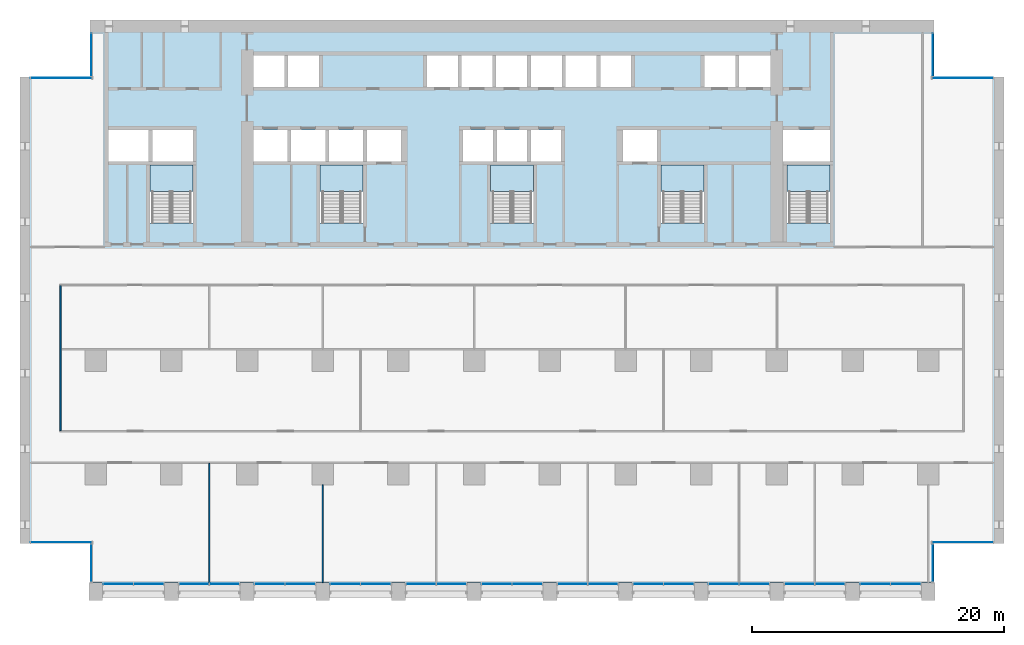
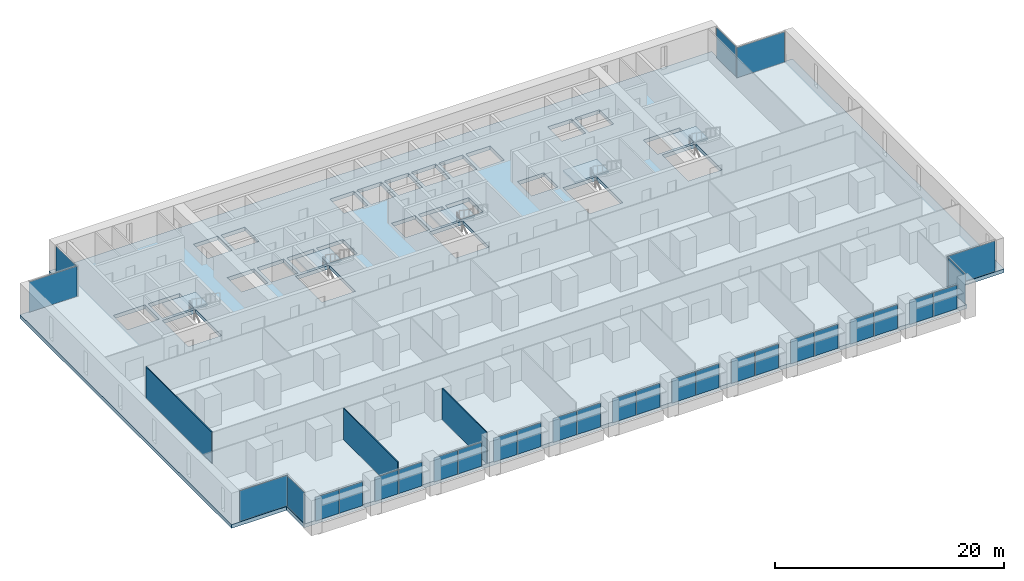
# One storey, part 7 of 18: 30 plates, 6 slabs, 3 walls, 24 elements without a shape of their own.
"""IFC4 building model written with IfcOpenShell, lengths in metres."""

import ifcopenshell
import ifcopenshell.guid

model = None  # the IFC model being written
_history = None  # IfcOwnerHistory: only IFC2X3 demands one
_inside = {}  # id of a spatial element -> (the spatial element, [elements in it])
_under = {}  # id of a project, library or spatial element -> (it, [spatial elements below it])
_declared = {}  # id of a project -> (the project, [libraries it declares])
_typed = {}  # id of a type object -> (the type object, [elements of that type])
_made_of = {}  # id of a material, layer set ... -> (it, [elements and type objects made of it])


def new_model(schema):
    """Start an empty IFC model of exactly this schema.

    Asked for "IFC4X3", IfcOpenShell would pick the latest addendum, in which some entities
    have other attributes; the version numbers below select the first issue.
    IFC2X3 requires an IfcOwnerHistory on every rooted entity: one is made here for all.
    """
    global model, _history
    if schema == "IFC4X3":
        model = ifcopenshell.file(schema_version=(4, 3, 0, 0))
    else:
        model = ifcopenshell.file(schema=schema)
    _inside.clear()
    _under.clear()
    _declared.clear()
    _typed.clear()
    _made_of.clear()
    _history = None
    if model.schema == "IFC2X3":
        org = make("IfcOrganization", Name="unknown")
        user = make(
            "IfcPersonAndOrganization",
            ThePerson=make("IfcPerson", FamilyName="unknown"),
            TheOrganization=org,
        )
        app = make(
            "IfcApplication",
            ApplicationDeveloper=org,
            Version="unknown",
            ApplicationFullName="unknown",
            ApplicationIdentifier="unknown",
        )
        _history = make(
            "IfcOwnerHistory",
            OwningUser=user,
            OwningApplication=app,
            ChangeAction="ADDED",
            CreationDate=0,
        )
    return model


def make(cls, **values):
    """One entity of the class cls with the attributes given. An attribute that is None is left unset."""
    return model.create_entity(
        cls, **{name: value for name, value in values.items() if value is not None}
    )


def rooted(cls, **values):
    """An entity with a GlobalId (a new one), such as an element, a storey or a relation."""
    return make(cls, GlobalId=ifcopenshell.guid.new(), OwnerHistory=_history, **values)


def si_unit(unit_type, name, prefix=None):
    """IfcSIUnit, for example si_unit("LENGTHUNIT", "METRE", prefix="MILLI")."""
    return make("IfcSIUnit", UnitType=unit_type, Prefix=prefix, Name=name)


def assignment(units):
    """IfcUnitAssignment: the units of a project."""
    return None if units is None else make("IfcUnitAssignment", Units=units)


def point(xyz):
    """IfcCartesianPoint."""
    return None if xyz is None else make("IfcCartesianPoint", Coordinates=xyz)


def direction(xyz):
    """IfcDirection."""
    return None if xyz is None else make("IfcDirection", DirectionRatios=xyz)


def frame(location, z_axis=None, x_axis=None):
    """IfcAxis2Placement3D, a coordinate frame: its origin and axes. An axis left out is left unset."""
    return make(
        "IfcAxis2Placement3D",
        Location=point(location),
        Axis=direction(z_axis),
        RefDirection=direction(x_axis),
    )


def frame_2d(location, x_axis=None):
    """IfcAxis2Placement2D, a coordinate frame in the plane: its origin and x axis."""
    return make(
        "IfcAxis2Placement2D", Location=point(location), RefDirection=direction(x_axis)
    )


def origin():
    """The frame at (0, 0, 0) with its axes left unset."""
    return frame((0.0, 0.0, 0.0))


def origin_2d():
    """The frame at (0, 0) in the plane with its x axis left unset."""
    return frame_2d((0.0, 0.0))


def place(relative_to, where):
    """IfcLocalPlacement: puts the frame where relative to a parent placement (None: the world)."""
    return make(
        "IfcLocalPlacement", PlacementRelTo=relative_to, RelativePlacement=where
    )


def context(
    kind, dimensions, precision=None, world=None, true_north=None, identifier=None
):
    """IfcGeometricRepresentationContext, for example the 3D "Model" context."""
    return make(
        "IfcGeometricRepresentationContext",
        ContextIdentifier=identifier,
        ContextType=kind,
        CoordinateSpaceDimension=dimensions,
        Precision=precision,
        WorldCoordinateSystem=world,
        TrueNorth=true_north,
    )


def subcontext(parent, identifier, kind, view, scale=None):
    """IfcGeometricRepresentationSubContext, for example "Body" below "Model"."""
    return make(
        "IfcGeometricRepresentationSubContext",
        ContextIdentifier=identifier,
        ContextType=kind,
        ParentContext=parent,
        TargetScale=scale,
        TargetView=view,
    )


def project(units=None, contexts=None):
    """IfcProject with its units and contexts."""
    return rooted(
        "IfcProject",
        Name="project",
        RepresentationContexts=contexts,
        UnitsInContext=assignment(units),
    )


def spatial(cls, under=None, at=None, **own):
    """A site, building, storey or space (cls), placed at a placement, below another one or the project."""
    s = rooted(cls, ObjectPlacement=at, **own)
    if under is not None:
        _under.setdefault(under.id(), (under, []))[1].append(s)
    return s


def polyline(points):
    """IfcPolyline through the points."""
    return make("IfcPolyline", Points=[point(p) for p in points])


def profile(cls, at=None, kind="AREA", **sizes):
    """A parametric profile (cls). Its sizes go by their IFC names, for example OverallWidth=200.0."""
    return make(cls, ProfileType=kind, Position=at, **sizes)


def rectangle(**sizes):
    """IfcRectangleProfileDef."""
    return profile("IfcRectangleProfileDef", **sizes)


def outline(outer, holes=None, kind="AREA"):
    """IfcArbitraryClosedProfileDef: a profile drawn as a closed curve; with holes, ...WithVoids."""
    if holes is None:
        return make("IfcArbitraryClosedProfileDef", ProfileType=kind, OuterCurve=outer)
    return make(
        "IfcArbitraryProfileDefWithVoids",
        ProfileType=kind,
        OuterCurve=outer,
        InnerCurves=holes,
    )


def extrude(swept, where, along, depth):
    """IfcExtrudedAreaSolid: the profile swept, set in the frame where, extruded along a direction by depth."""
    return make(
        "IfcExtrudedAreaSolid",
        SweptArea=swept,
        Position=where,
        ExtrudedDirection=direction(along),
        Depth=depth,
    )


def shape(context_of_items, identifier, shape_type, items):
    """IfcShapeRepresentation: the items that make up one representation, for example the "Body"."""
    return make(
        "IfcShapeRepresentation",
        ContextOfItems=context_of_items,
        RepresentationIdentifier=identifier,
        RepresentationType=shape_type,
        Items=items,
    )


def material(Name=None, Category=None):
    """IfcMaterial."""
    return make("IfcMaterial", Name=Name, Category=Category)


def layer(
    of_material, thickness, ventilated=None, Name=None, Category=None, Priority=None
):
    """IfcMaterialLayer: one layer of a wall or slab, of a material (None: an air gap)."""
    return make(
        "IfcMaterialLayer",
        Material=of_material,
        LayerThickness=thickness,
        IsVentilated=ventilated,
        Name=Name,
        Category=Category,
        Priority=Priority,
    )


def layer_set(layers, Name=None):
    """IfcMaterialLayerSet."""
    return make("IfcMaterialLayerSet", MaterialLayers=layers, LayerSetName=Name)


def made_of(thing, what):
    """Note that an element or type object is made of a material, layer set ...; save() writes the relation."""
    if what is not None:
        _made_of.setdefault(what.id(), (what, []))[1].append(thing)
    return thing


def type_object(cls, material=None, **own):
    """A type object (cls), such as IfcWallType, which elements share."""
    return made_of(rooted(cls, **own), material)


def element(
    cls,
    number,
    at=None,
    inside=None,
    cuts=None,
    type_object=None,
    material=None,
    context=None,
    identifier="Body",
    shape_type=None,
    held_by="IfcProductDefinitionShape",
    body=None,
    shapes=None,
    **own,
):
    """One element of the class cls, such as IfcWall. Its Tag is "e" and its number.

    at: its placement. inside: the storey or other place that contains it. cuts: it is an
    opening in that element (IfcRelVoidsElement). A single representation is given by context,
    identifier, shape_type and body (its items); several are given by shapes. held_by: the class
    of the entity that holds the representations. save() writes the other relations.
    """
    e = rooted(cls, Tag="e%d" % number, ObjectPlacement=at, **own)
    if body is not None:
        shapes = [shape(context, identifier, shape_type, body)]
    if shapes is not None:
        e.Representation = make(held_by, Representations=shapes)
    if inside is not None:
        _inside.setdefault(inside.id(), (inside, []))[1].append(e)
    if cuts is not None:
        rooted(
            "IfcRelVoidsElement", RelatingBuildingElement=cuts, RelatedOpeningElement=e
        )
    if type_object is not None:
        _typed.setdefault(type_object.id(), (type_object, []))[1].append(e)
    return made_of(e, material)


def aggregate(whole, parts):
    """IfcRelAggregates: a whole, such as a stair, and the parts it consists of."""
    return rooted("IfcRelAggregates", RelatingObject=whole, RelatedObjects=parts)


def save(model, path):
    """Write the relations noted so far, then the file.

    IfcRelAggregates (storeys below a building ...), IfcRelContainedInSpatialStructure (elements
    in a storey), IfcRelDefinesByType, IfcRelAssociatesMaterial and IfcRelDeclares: one each for
    every whole, place, type object, material and project.
    """
    for whole, parts in _under.values():
        aggregate(whole, parts)
    for where, things in _inside.values():
        rooted(
            "IfcRelContainedInSpatialStructure",
            RelatedElements=things,
            RelatingStructure=where,
        )
    for kind, things in _typed.values():
        rooted("IfcRelDefinesByType", RelatedObjects=things, RelatingType=kind)
    for what, things in _made_of.values():
        rooted("IfcRelAssociatesMaterial", RelatedObjects=things, RelatingMaterial=what)
    for by, libraries in _declared.values():
        rooted("IfcRelDeclares", RelatingContext=by, RelatedDefinitions=libraries)
    model.write(path)


model = new_model("IFC4")

# Units and contexts
model_context = context("Model", 3, precision=1e-05, world=origin(), true_north=direction((0.0, 1.0)))
body_context = subcontext(model_context, "Body", "Model", "MODEL_VIEW")
ifc_project = project(units=[si_unit("LENGTHUNIT", "METRE"), si_unit("AREAUNIT", "SQUARE_METRE"), si_unit("VOLUMEUNIT", "CUBIC_METRE"), si_unit("PLANEANGLEUNIT", "RADIAN"), si_unit("MASSUNIT", "GRAM", prefix="KILO")], contexts=[model_context])

# Site, building, storey
site_placement = place(None, origin())
site = spatial("IfcSite", under=ifc_project, at=site_placement, CompositionType="ELEMENT")
building_placement = place(site_placement, origin())
building = spatial("IfcBuilding", under=site, at=building_placement, Name="Calvaro Tower", CompositionType="ELEMENT")
storey_placement = place(building_placement, frame((0.0, 0.0, 45.0)))
storey = spatial("IfcBuildingStorey", under=building, at=storey_placement, Name="L10", CompositionType="ELEMENT", Elevation=45.0)

# Slab
ifc_material_1 = material(Name="Concrete C40/50", Category="concrete")
ifc_layer_1 = layer(ifc_material_1, 0.39990234375)
ifc_layer_set_1 = layer_set([ifc_layer_1], Name="Concrete C40/50")
slab_type_1 = type_object("IfcSlabType", Name="Floor slab 400 C40/50", PredefinedType="FLOOR", material=ifc_layer_set_1)
slab_1_placement = place(storey_placement, frame((0.0, 0.0, -0.39990234375)))
element("IfcSlab", 1, at=slab_1_placement, inside=storey, type_object=slab_type_1, Name="Floor slab", PredefinedType="FLOOR", context=body_context, shape_type="SweptSolid", body=[
    extrude(outline(polyline([(72.449951171875, 4.5), (72.449951171875, 1.39990234375), (5.550048828125, 1.39990234375), (5.550048828125, 4.5), (0.0, 4.5), (0.0, 41.5), (5.550048828125, 41.5), (5.550048828125, 46.0), (72.449951171875, 46.0), (72.449951171875, 41.5), (78.0, 41.5), (78.0, 4.5), (72.449951171875, 4.5)]), holes=[polyline([(10.300048828125, 29.909912109375), (10.300048828125, 34.5), (12.0, 34.5), (13.699951171875, 34.5), (13.699951171875, 29.909912109375), (12.0, 29.909912109375), (10.300048828125, 29.909912109375)]), polyline([(23.800048828125, 29.909912109375), (23.800048828125, 34.5), (25.5, 34.5), (27.199951171875, 34.5), (27.199951171875, 29.909912109375), (25.5, 29.909912109375), (23.800048828125, 29.909912109375)]), polyline([(37.300048828125, 29.909912109375), (37.300048828125, 34.5), (39.0, 34.5), (40.699951171875, 34.5), (40.699951171875, 29.909912109375), (39.0, 29.909912109375), (37.300048828125, 29.909912109375)]), polyline([(50.800048828125, 29.909912109375), (50.800048828125, 34.5), (52.5, 34.5), (54.199951171875, 34.5), (54.199951171875, 29.909912109375), (52.5, 29.909912109375), (50.800048828125, 29.909912109375)]), polyline([(60.800048828125, 29.909912109375), (60.800048828125, 34.5), (62.5, 34.5), (64.199951171875, 34.5), (64.199951171875, 29.909912109375), (62.5, 29.909912109375), (60.800048828125, 29.909912109375)]), polyline([(18.5, 34.800048828125), (21.199951171875, 34.800048828125), (21.199951171875, 37.300048828125), (18.5, 37.300048828125), (18.5, 34.800048828125)]), polyline([(21.5, 34.800048828125), (24.199951171875, 34.800048828125), (24.199951171875, 37.300048828125), (21.5, 37.300048828125), (21.5, 34.800048828125)]), polyline([(24.5, 34.800048828125), (27.199951171875, 34.800048828125), (27.199951171875, 37.300048828125), (24.5, 37.300048828125), (24.5, 34.800048828125)]), polyline([(35.10009765625, 34.800048828125), (37.5, 34.800048828125), (37.5, 37.300048828125), (35.10009765625, 37.300048828125), (35.10009765625, 34.800048828125)]), polyline([(37.800048828125, 34.800048828125), (40.199951171875, 34.800048828125), (40.199951171875, 37.300048828125), (37.800048828125, 37.300048828125), (37.800048828125, 34.800048828125)]), polyline([(40.5, 34.800048828125), (42.89990234375, 34.800048828125), (42.89990234375, 37.300048828125), (40.5, 37.300048828125), (40.5, 34.800048828125)]), polyline([(18.5, 40.699951171875), (20.949951171875, 40.699951171875), (20.949951171875, 43.199951171875), (18.5, 43.199951171875), (18.5, 40.699951171875)]), polyline([(21.25, 40.699951171875), (23.699951171875, 40.699951171875), (23.699951171875, 43.199951171875), (21.25, 43.199951171875), (21.25, 40.699951171875)]), polyline([(32.25, 40.699951171875), (34.699951171875, 40.699951171875), (34.699951171875, 43.199951171875), (32.25, 43.199951171875), (32.25, 40.699951171875)]), polyline([(35.0, 40.699951171875), (37.449951171875, 40.699951171875), (37.449951171875, 43.199951171875), (35.0, 43.199951171875), (35.0, 40.699951171875)]), polyline([(37.75, 40.699951171875), (40.199951171875, 40.699951171875), (40.199951171875, 43.199951171875), (37.75, 43.199951171875), (37.75, 40.699951171875)]), polyline([(40.5, 40.699951171875), (42.949951171875, 40.699951171875), (42.949951171875, 43.199951171875), (40.5, 43.199951171875), (40.5, 40.699951171875)]), polyline([(43.25, 40.699951171875), (45.699951171875, 40.699951171875), (45.699951171875, 43.199951171875), (43.25, 43.199951171875), (43.25, 40.699951171875)]), polyline([(46.0, 40.699951171875), (48.449951171875, 40.699951171875), (48.449951171875, 43.199951171875), (46.0, 43.199951171875), (46.0, 40.699951171875)]), polyline([(54.25, 40.699951171875), (56.699951171875, 40.699951171875), (56.699951171875, 43.199951171875), (54.25, 43.199951171875), (54.25, 40.699951171875)]), polyline([(57.0, 40.699951171875), (59.5, 40.699951171875), (59.5, 43.199951171875), (57.0, 43.199951171875), (57.0, 40.699951171875)]), polyline([(7.0, 34.800048828125), (10.199951171875, 34.800048828125), (10.199951171875, 37.300048828125), (7.0, 37.300048828125), (7.0, 34.800048828125)]), polyline([(10.5, 34.800048828125), (13.699951171875, 34.800048828125), (13.699951171875, 37.300048828125), (10.5, 37.300048828125), (10.5, 34.800048828125)]), polyline([(60.5, 34.800048828125), (64.199951171875, 34.800048828125), (64.199951171875, 37.300048828125), (60.5, 37.300048828125), (60.5, 34.800048828125)]), polyline([(27.5, 34.800048828125), (30.199951171875, 34.800048828125), (30.199951171875, 37.300048828125), (27.5, 37.300048828125), (27.5, 34.800048828125)]), polyline([(47.800048828125, 34.800048828125), (50.5, 34.800048828125), (50.5, 37.300048828125), (47.800048828125, 37.300048828125), (47.800048828125, 34.800048828125)])]), origin(), (0.0, 0.0, 1.0), 0.39990234375),
])

# Curtain wall, plates
ifc_material_2 = material(Name="Anodised aluminium", Category="aluminium")
curtain_wall_type = type_object("IfcCurtainWallType", Name="Office curtain wall, lower zone", PredefinedType="NOTDEFINED", material=ifc_material_2)
curtain_wall_1_placement = place(storey_placement, origin())
curtain_wall_1 = element("IfcCurtainWall", 2, at=curtain_wall_1_placement, inside=storey, type_object=curtain_wall_type, Name="CW1 south curtain wall", PredefinedType="NOTDEFINED")
ifc_material_3 = material(Name="Glass", Category="glass")
ifc_layer_2 = layer(ifc_material_3, 0.028076171875)
ifc_layer_set_2 = layer_set([ifc_layer_2], Name="Glass")
plate_type = type_object("IfcPlateType", Name="Glass panel S1 28", PredefinedType="CURTAIN_PANEL", material=ifc_layer_set_2)
plate_1_placement = place(storey_placement, frame((7.7900390625, 1.300048828125, 0.0), z_axis=(0.0, 0.0, 1.0), x_axis=(1.0, 0.0, 0.0)))
plate_1 = element("IfcPlate", 3, at=plate_1_placement, type_object=plate_type, Name="CW1 glass panel 1.1", PredefinedType="CURTAIN_PANEL", context=body_context, shape_type="SweptSolid", body=[
    extrude(rectangle(XDim=2.360107421875, YDim=0.028076171875, at=origin_2d()), origin(), (0.0, 0.0, 1.0), 2.550048828125),
])
plate_2_placement = place(storey_placement, frame((10.2099609375, 1.300048828125, 0.0), z_axis=(0.0, 0.0, 1.0), x_axis=(1.0, 0.0, 0.0)))
plate_2 = element("IfcPlate", 4, at=plate_2_placement, type_object=plate_type, Name="CW1 glass panel 2.1", PredefinedType="CURTAIN_PANEL", context=body_context, shape_type="SweptSolid", body=[
    extrude(rectangle(XDim=2.360107421875, YDim=0.028076171875, at=origin_2d()), origin(), (0.0, 0.0, 1.0), 2.550048828125),
])
aggregate(curtain_wall_1, [plate_1, plate_2])

curtain_wall_2_placement = place(storey_placement, origin())
curtain_wall_2 = element("IfcCurtainWall", 5, at=curtain_wall_2_placement, inside=storey, type_object=curtain_wall_type, Name="CW1 south curtain wall", PredefinedType="NOTDEFINED")
plate_3_placement = place(storey_placement, frame((13.7900390625, 1.300048828125, 0.0), z_axis=(0.0, 0.0, 1.0), x_axis=(1.0, 0.0, 0.0)))
plate_3 = element("IfcPlate", 6, at=plate_3_placement, type_object=plate_type, Name="CW1 glass panel 1.1", PredefinedType="CURTAIN_PANEL", context=body_context, shape_type="SweptSolid", body=[
    extrude(rectangle(XDim=2.360107421875, YDim=0.028076171875, at=origin_2d()), origin(), (0.0, 0.0, 1.0), 2.550048828125),
])
plate_4_placement = place(storey_placement, frame((16.2099609375, 1.300048828125, 0.0), z_axis=(0.0, 0.0, 1.0), x_axis=(1.0, 0.0, 0.0)))
plate_4 = element("IfcPlate", 7, at=plate_4_placement, type_object=plate_type, Name="CW1 glass panel 2.1", PredefinedType="CURTAIN_PANEL", context=body_context, shape_type="SweptSolid", body=[
    extrude(rectangle(XDim=2.360107421875, YDim=0.028076171875, at=origin_2d()), origin(), (0.0, 0.0, 1.0), 2.550048828125),
])
aggregate(curtain_wall_2, [plate_3, plate_4])

curtain_wall_3_placement = place(storey_placement, origin())
curtain_wall_3 = element("IfcCurtainWall", 8, at=curtain_wall_3_placement, inside=storey, type_object=curtain_wall_type, Name="CW1 south curtain wall", PredefinedType="NOTDEFINED")
plate_5_placement = place(storey_placement, frame((19.7900390625, 1.300048828125, 0.0), z_axis=(0.0, 0.0, 1.0), x_axis=(1.0, 0.0, 0.0)))
plate_5 = element("IfcPlate", 9, at=plate_5_placement, type_object=plate_type, Name="CW1 glass panel 1.1", PredefinedType="CURTAIN_PANEL", context=body_context, shape_type="SweptSolid", body=[
    extrude(rectangle(XDim=2.360107421875, YDim=0.028076171875, at=origin_2d()), origin(), (0.0, 0.0, 1.0), 2.550048828125),
])
plate_6_placement = place(storey_placement, frame((22.2099609375, 1.300048828125, 0.0), z_axis=(0.0, 0.0, 1.0), x_axis=(1.0, 0.0, 0.0)))
plate_6 = element("IfcPlate", 10, at=plate_6_placement, type_object=plate_type, Name="CW1 glass panel 2.1", PredefinedType="CURTAIN_PANEL", context=body_context, shape_type="SweptSolid", body=[
    extrude(rectangle(XDim=2.360107421875, YDim=0.028076171875, at=origin_2d()), origin(), (0.0, 0.0, 1.0), 2.550048828125),
])
aggregate(curtain_wall_3, [plate_5, plate_6])

curtain_wall_4_placement = place(storey_placement, origin())
curtain_wall_4 = element("IfcCurtainWall", 11, at=curtain_wall_4_placement, inside=storey, type_object=curtain_wall_type, Name="CW1 south curtain wall", PredefinedType="NOTDEFINED")
plate_7_placement = place(storey_placement, frame((25.7900390625, 1.300048828125, 0.0), z_axis=(0.0, 0.0, 1.0), x_axis=(1.0, 0.0, 0.0)))
plate_7 = element("IfcPlate", 12, at=plate_7_placement, type_object=plate_type, Name="CW1 glass panel 1.1", PredefinedType="CURTAIN_PANEL", context=body_context, shape_type="SweptSolid", body=[
    extrude(rectangle(XDim=2.360107421875, YDim=0.028076171875, at=origin_2d()), origin(), (0.0, 0.0, 1.0), 2.550048828125),
])
plate_8_placement = place(storey_placement, frame((28.2099609375, 1.300048828125, 0.0), z_axis=(0.0, 0.0, 1.0), x_axis=(1.0, 0.0, 0.0)))
plate_8 = element("IfcPlate", 13, at=plate_8_placement, type_object=plate_type, Name="CW1 glass panel 2.1", PredefinedType="CURTAIN_PANEL", context=body_context, shape_type="SweptSolid", body=[
    extrude(rectangle(XDim=2.360107421875, YDim=0.028076171875, at=origin_2d()), origin(), (0.0, 0.0, 1.0), 2.550048828125),
])
aggregate(curtain_wall_4, [plate_7, plate_8])

curtain_wall_5_placement = place(storey_placement, origin())
curtain_wall_5 = element("IfcCurtainWall", 14, at=curtain_wall_5_placement, inside=storey, type_object=curtain_wall_type, Name="CW1 south curtain wall", PredefinedType="NOTDEFINED")
plate_9_placement = place(storey_placement, frame((31.7900390625, 1.300048828125, 0.0), z_axis=(0.0, 0.0, 1.0), x_axis=(1.0, 0.0, 0.0)))
plate_9 = element("IfcPlate", 15, at=plate_9_placement, type_object=plate_type, Name="CW1 glass panel 1.1", PredefinedType="CURTAIN_PANEL", context=body_context, shape_type="SweptSolid", body=[
    extrude(rectangle(XDim=2.360107421875, YDim=0.028076171875, at=origin_2d()), origin(), (0.0, 0.0, 1.0), 2.550048828125),
])
plate_10_placement = place(storey_placement, frame((34.2099609375, 1.300048828125, 0.0), z_axis=(0.0, 0.0, 1.0), x_axis=(1.0, 0.0, 0.0)))
plate_10 = element("IfcPlate", 16, at=plate_10_placement, type_object=plate_type, Name="CW1 glass panel 2.1", PredefinedType="CURTAIN_PANEL", context=body_context, shape_type="SweptSolid", body=[
    extrude(rectangle(XDim=2.360107421875, YDim=0.028076171875, at=origin_2d()), origin(), (0.0, 0.0, 1.0), 2.550048828125),
])
aggregate(curtain_wall_5, [plate_9, plate_10])

curtain_wall_6_placement = place(storey_placement, origin())
curtain_wall_6 = element("IfcCurtainWall", 17, at=curtain_wall_6_placement, inside=storey, type_object=curtain_wall_type, Name="CW1 south curtain wall", PredefinedType="NOTDEFINED")
plate_11_placement = place(storey_placement, frame((37.7900390625, 1.300048828125, 0.0), z_axis=(0.0, 0.0, 1.0), x_axis=(1.0, 0.0, 0.0)))
plate_11 = element("IfcPlate", 18, at=plate_11_placement, type_object=plate_type, Name="CW1 glass panel 1.1", PredefinedType="CURTAIN_PANEL", context=body_context, shape_type="SweptSolid", body=[
    extrude(rectangle(XDim=2.360107421875, YDim=0.028076171875, at=origin_2d()), origin(), (0.0, 0.0, 1.0), 2.550048828125),
])
plate_12_placement = place(storey_placement, frame((40.2099609375, 1.300048828125, 0.0), z_axis=(0.0, 0.0, 1.0), x_axis=(1.0, 0.0, 0.0)))
plate_12 = element("IfcPlate", 19, at=plate_12_placement, type_object=plate_type, Name="CW1 glass panel 2.1", PredefinedType="CURTAIN_PANEL", context=body_context, shape_type="SweptSolid", body=[
    extrude(rectangle(XDim=2.360107421875, YDim=0.028076171875, at=origin_2d()), origin(), (0.0, 0.0, 1.0), 2.550048828125),
])
aggregate(curtain_wall_6, [plate_11, plate_12])

curtain_wall_7_placement = place(storey_placement, origin())
curtain_wall_7 = element("IfcCurtainWall", 20, at=curtain_wall_7_placement, inside=storey, type_object=curtain_wall_type, Name="CW1 south curtain wall", PredefinedType="NOTDEFINED")
plate_13_placement = place(storey_placement, frame((43.7900390625, 1.300048828125, 0.0), z_axis=(0.0, 0.0, 1.0), x_axis=(1.0, 0.0, 0.0)))
plate_13 = element("IfcPlate", 21, at=plate_13_placement, type_object=plate_type, Name="CW1 glass panel 1.1", PredefinedType="CURTAIN_PANEL", context=body_context, shape_type="SweptSolid", body=[
    extrude(rectangle(XDim=2.360107421875, YDim=0.028076171875, at=origin_2d()), origin(), (0.0, 0.0, 1.0), 2.550048828125),
])
plate_14_placement = place(storey_placement, frame((46.2099609375, 1.300048828125, 0.0), z_axis=(0.0, 0.0, 1.0), x_axis=(1.0, 0.0, 0.0)))
plate_14 = element("IfcPlate", 22, at=plate_14_placement, type_object=plate_type, Name="CW1 glass panel 2.1", PredefinedType="CURTAIN_PANEL", context=body_context, shape_type="SweptSolid", body=[
    extrude(rectangle(XDim=2.360107421875, YDim=0.028076171875, at=origin_2d()), origin(), (0.0, 0.0, 1.0), 2.550048828125),
])
aggregate(curtain_wall_7, [plate_13, plate_14])

curtain_wall_8_placement = place(storey_placement, origin())
curtain_wall_8 = element("IfcCurtainWall", 23, at=curtain_wall_8_placement, inside=storey, type_object=curtain_wall_type, Name="CW1 south curtain wall", PredefinedType="NOTDEFINED")
plate_15_placement = place(storey_placement, frame((49.7900390625, 1.300048828125, 0.0), z_axis=(0.0, 0.0, 1.0), x_axis=(1.0, 0.0, 0.0)))
plate_15 = element("IfcPlate", 24, at=plate_15_placement, type_object=plate_type, Name="CW1 glass panel 1.1", PredefinedType="CURTAIN_PANEL", context=body_context, shape_type="SweptSolid", body=[
    extrude(rectangle(XDim=2.360107421875, YDim=0.028076171875, at=origin_2d()), origin(), (0.0, 0.0, 1.0), 2.550048828125),
])
plate_16_placement = place(storey_placement, frame((52.2099609375, 1.300048828125, 0.0), z_axis=(0.0, 0.0, 1.0), x_axis=(1.0, 0.0, 0.0)))
plate_16 = element("IfcPlate", 25, at=plate_16_placement, type_object=plate_type, Name="CW1 glass panel 2.1", PredefinedType="CURTAIN_PANEL", context=body_context, shape_type="SweptSolid", body=[
    extrude(rectangle(XDim=2.360107421875, YDim=0.028076171875, at=origin_2d()), origin(), (0.0, 0.0, 1.0), 2.550048828125),
])
aggregate(curtain_wall_8, [plate_15, plate_16])

curtain_wall_9_placement = place(storey_placement, origin())
curtain_wall_9 = element("IfcCurtainWall", 26, at=curtain_wall_9_placement, inside=storey, type_object=curtain_wall_type, Name="CW1 south curtain wall", PredefinedType="NOTDEFINED")
plate_17_placement = place(storey_placement, frame((55.7900390625, 1.300048828125, 0.0), z_axis=(0.0, 0.0, 1.0), x_axis=(1.0, 0.0, 0.0)))
plate_17 = element("IfcPlate", 27, at=plate_17_placement, type_object=plate_type, Name="CW1 glass panel 1.1", PredefinedType="CURTAIN_PANEL", context=body_context, shape_type="SweptSolid", body=[
    extrude(rectangle(XDim=2.360107421875, YDim=0.028076171875, at=origin_2d()), origin(), (0.0, 0.0, 1.0), 2.550048828125),
])
plate_18_placement = place(storey_placement, frame((58.2099609375, 1.300048828125, 0.0), z_axis=(0.0, 0.0, 1.0), x_axis=(1.0, 0.0, 0.0)))
plate_18 = element("IfcPlate", 28, at=plate_18_placement, type_object=plate_type, Name="CW1 glass panel 2.1", PredefinedType="CURTAIN_PANEL", context=body_context, shape_type="SweptSolid", body=[
    extrude(rectangle(XDim=2.360107421875, YDim=0.028076171875, at=origin_2d()), origin(), (0.0, 0.0, 1.0), 2.550048828125),
])
aggregate(curtain_wall_9, [plate_17, plate_18])

curtain_wall_10_placement = place(storey_placement, origin())
curtain_wall_10 = element("IfcCurtainWall", 29, at=curtain_wall_10_placement, inside=storey, type_object=curtain_wall_type, Name="CW1 south curtain wall", PredefinedType="NOTDEFINED")
plate_19_placement = place(storey_placement, frame((61.7900390625, 1.300048828125, 0.0), z_axis=(0.0, 0.0, 1.0), x_axis=(1.0, 0.0, 0.0)))
plate_19 = element("IfcPlate", 30, at=plate_19_placement, type_object=plate_type, Name="CW1 glass panel 1.1", PredefinedType="CURTAIN_PANEL", context=body_context, shape_type="SweptSolid", body=[
    extrude(rectangle(XDim=2.360107421875, YDim=0.028076171875, at=origin_2d()), origin(), (0.0, 0.0, 1.0), 2.550048828125),
])
plate_20_placement = place(storey_placement, frame((64.2099609375, 1.300048828125, 0.0), z_axis=(0.0, 0.0, 1.0), x_axis=(1.0, 0.0, 0.0)))
plate_20 = element("IfcPlate", 31, at=plate_20_placement, type_object=plate_type, Name="CW1 glass panel 2.1", PredefinedType="CURTAIN_PANEL", context=body_context, shape_type="SweptSolid", body=[
    extrude(rectangle(XDim=2.360107421875, YDim=0.028076171875, at=origin_2d()), origin(), (0.0, 0.0, 1.0), 2.550048828125),
])
aggregate(curtain_wall_10, [plate_19, plate_20])

curtain_wall_11_placement = place(storey_placement, origin())
curtain_wall_11 = element("IfcCurtainWall", 32, at=curtain_wall_11_placement, inside=storey, type_object=curtain_wall_type, Name="CW1 south curtain wall", PredefinedType="NOTDEFINED")
plate_21_placement = place(storey_placement, frame((67.7900390625, 1.300048828125, 0.0), z_axis=(0.0, 0.0, 1.0), x_axis=(1.0, 0.0, 0.0)))
plate_21 = element("IfcPlate", 33, at=plate_21_placement, type_object=plate_type, Name="CW1 glass panel 1.1", PredefinedType="CURTAIN_PANEL", context=body_context, shape_type="SweptSolid", body=[
    extrude(rectangle(XDim=2.360107421875, YDim=0.028076171875, at=origin_2d()), origin(), (0.0, 0.0, 1.0), 2.550048828125),
])
plate_22_placement = place(storey_placement, frame((70.2099609375, 1.300048828125, 0.0), z_axis=(0.0, 0.0, 1.0), x_axis=(1.0, 0.0, 0.0)))
plate_22 = element("IfcPlate", 34, at=plate_22_placement, type_object=plate_type, Name="CW1 glass panel 2.1", PredefinedType="CURTAIN_PANEL", context=body_context, shape_type="SweptSolid", body=[
    extrude(rectangle(XDim=2.360107421875, YDim=0.028076171875, at=origin_2d()), origin(), (0.0, 0.0, 1.0), 2.550048828125),
])
aggregate(curtain_wall_11, [plate_21, plate_22])

# Curtain wall, plate
curtain_wall_12_placement = place(storey_placement, origin())
curtain_wall_12 = element("IfcCurtainWall", 35, at=curtain_wall_12_placement, inside=storey, type_object=curtain_wall_type, Name="CW1 corner curtain wall", PredefinedType="NOTDEFINED")
plate_23_placement = place(storey_placement, frame((5.64990234375, 2.949951171875, 0.0), z_axis=(0.0, 0.0, 1.0), x_axis=(0.0, 1.0, 0.0)))
plate_23 = element("IfcPlate", 36, at=plate_23_placement, type_object=plate_type, Name="CW1 glass panel 1.1", PredefinedType="CURTAIN_PANEL", context=body_context, shape_type="SweptSolid", body=[
    extrude(rectangle(XDim=2.97998046875, YDim=0.028076171875, at=origin_2d()), origin(), (0.0, 0.0, 1.0), 3.25),
])
aggregate(curtain_wall_12, [plate_23])

curtain_wall_13_placement = place(storey_placement, origin())
curtain_wall_13 = element("IfcCurtainWall", 37, at=curtain_wall_13_placement, inside=storey, type_object=curtain_wall_type, Name="CW1 corner curtain wall", PredefinedType="NOTDEFINED")
plate_24_placement = place(storey_placement, frame((3.27490234375, 4.60009765625, 0.0), z_axis=(0.0, 0.0, 1.0), x_axis=(1.0, 0.0, 0.0)))
plate_24 = element("IfcPlate", 38, at=plate_24_placement, type_object=plate_type, Name="CW1 glass panel 1.1", PredefinedType="CURTAIN_PANEL", context=body_context, shape_type="SweptSolid", body=[
    extrude(rectangle(XDim=4.830078125, YDim=0.028076171875, at=origin_2d()), origin(), (0.0, 0.0, 1.0), 3.25),
])
aggregate(curtain_wall_13, [plate_24])

curtain_wall_14_placement = place(storey_placement, origin())
curtain_wall_14 = element("IfcCurtainWall", 39, at=curtain_wall_14_placement, inside=storey, type_object=curtain_wall_type, Name="CW1 corner curtain wall", PredefinedType="NOTDEFINED")
plate_25_placement = place(storey_placement, frame((5.64990234375, 43.25, 0.0), z_axis=(0.0, 0.0, 1.0), x_axis=(0.0, 1.0, 0.0)))
plate_25 = element("IfcPlate", 40, at=plate_25_placement, type_object=plate_type, Name="CW1 glass panel 1.1", PredefinedType="CURTAIN_PANEL", context=body_context, shape_type="SweptSolid", body=[
    extrude(rectangle(XDim=3.3798828125, YDim=0.028076171875, at=origin_2d()), origin(), (0.0, 0.0, 1.0), 3.25),
])
aggregate(curtain_wall_14, [plate_25])

curtain_wall_15_placement = place(storey_placement, origin())
curtain_wall_15 = element("IfcCurtainWall", 41, at=curtain_wall_15_placement, inside=storey, type_object=curtain_wall_type, Name="CW1 corner curtain wall", PredefinedType="NOTDEFINED")
plate_26_placement = place(storey_placement, frame((3.27490234375, 41.39990234375, 0.0), z_axis=(0.0, 0.0, 1.0), x_axis=(1.0, 0.0, 0.0)))
plate_26 = element("IfcPlate", 42, at=plate_26_placement, type_object=plate_type, Name="CW1 glass panel 1.1", PredefinedType="CURTAIN_PANEL", context=body_context, shape_type="SweptSolid", body=[
    extrude(rectangle(XDim=4.830078125, YDim=0.028076171875, at=origin_2d()), origin(), (0.0, 0.0, 1.0), 3.25),
])
aggregate(curtain_wall_15, [plate_26])

curtain_wall_16_placement = place(storey_placement, origin())
curtain_wall_16 = element("IfcCurtainWall", 43, at=curtain_wall_16_placement, inside=storey, type_object=curtain_wall_type, Name="CW1 corner curtain wall", PredefinedType="NOTDEFINED")
plate_27_placement = place(storey_placement, frame((72.35009765625, 2.949951171875, 0.0), z_axis=(0.0, 0.0, 1.0), x_axis=(0.0, 1.0, 0.0)))
plate_27 = element("IfcPlate", 44, at=plate_27_placement, type_object=plate_type, Name="CW1 glass panel 1.1", PredefinedType="CURTAIN_PANEL", context=body_context, shape_type="SweptSolid", body=[
    extrude(rectangle(XDim=2.97998046875, YDim=0.028076171875, at=origin_2d()), origin(), (0.0, 0.0, 1.0), 3.25),
])
aggregate(curtain_wall_16, [plate_27])

curtain_wall_17_placement = place(storey_placement, origin())
curtain_wall_17 = element("IfcCurtainWall", 45, at=curtain_wall_17_placement, inside=storey, type_object=curtain_wall_type, Name="CW1 corner curtain wall", PredefinedType="NOTDEFINED")
plate_28_placement = place(storey_placement, frame((74.72509765625, 4.60009765625, 0.0), z_axis=(0.0, 0.0, 1.0), x_axis=(1.0, 0.0, 0.0)))
plate_28 = element("IfcPlate", 46, at=plate_28_placement, type_object=plate_type, Name="CW1 glass panel 1.1", PredefinedType="CURTAIN_PANEL", context=body_context, shape_type="SweptSolid", body=[
    extrude(rectangle(XDim=4.830078125, YDim=0.028076171875, at=origin_2d()), origin(), (0.0, 0.0, 1.0), 3.25),
])
aggregate(curtain_wall_17, [plate_28])

curtain_wall_18_placement = place(storey_placement, origin())
curtain_wall_18 = element("IfcCurtainWall", 47, at=curtain_wall_18_placement, inside=storey, type_object=curtain_wall_type, Name="CW1 corner curtain wall", PredefinedType="NOTDEFINED")
plate_29_placement = place(storey_placement, frame((72.35009765625, 43.25, 0.0), z_axis=(0.0, 0.0, 1.0), x_axis=(0.0, 1.0, 0.0)))
plate_29 = element("IfcPlate", 48, at=plate_29_placement, type_object=plate_type, Name="CW1 glass panel 1.1", PredefinedType="CURTAIN_PANEL", context=body_context, shape_type="SweptSolid", body=[
    extrude(rectangle(XDim=3.3798828125, YDim=0.028076171875, at=origin_2d()), origin(), (0.0, 0.0, 1.0), 3.25),
])
aggregate(curtain_wall_18, [plate_29])

curtain_wall_19_placement = place(storey_placement, origin())
curtain_wall_19 = element("IfcCurtainWall", 49, at=curtain_wall_19_placement, inside=storey, type_object=curtain_wall_type, Name="CW1 corner curtain wall", PredefinedType="NOTDEFINED")
plate_30_placement = place(storey_placement, frame((74.72509765625, 41.39990234375, 0.0), z_axis=(0.0, 0.0, 1.0), x_axis=(1.0, 0.0, 0.0)))
plate_30 = element("IfcPlate", 50, at=plate_30_placement, type_object=plate_type, Name="CW1 glass panel 1.1", PredefinedType="CURTAIN_PANEL", context=body_context, shape_type="SweptSolid", body=[
    extrude(rectangle(XDim=4.830078125, YDim=0.028076171875, at=origin_2d()), origin(), (0.0, 0.0, 1.0), 3.25),
])
aggregate(curtain_wall_19, [plate_30])

# Stair, slab
ifc_material_4 = material(Name="Concrete C40/50", Category="concrete")
stair_type = type_object("IfcStairType", Name="Exit stair 1400 2 flights", PredefinedType="HALF_TURN_STAIR", material=ifc_material_4)
stair_1_placement = place(storey_placement, origin())
stair_1 = element("IfcStair", 51, at=stair_1_placement, inside=storey, type_object=stair_type, Name="Exit stair S1", PredefinedType="HALF_TURN_STAIR")
ifc_material_5 = material(Name="Concrete C40/50", Category="concrete")
ifc_layer_3 = layer(ifc_material_5, 0.199951171875)
ifc_layer_set_3 = layer_set([ifc_layer_3], Name="Concrete C40/50")
slab_type_2 = type_object("IfcSlabType", Name="Stair landing", PredefinedType="LANDING", material=ifc_layer_set_3)
slab_2_placement = place(storey_placement, frame((0.0, 0.0, 1.675048828125)))
slab_2 = element("IfcSlab", 52, at=slab_2_placement, type_object=slab_type_2, Name="Exit stair 1, landing 1", PredefinedType="LANDING", context=body_context, shape_type="SweptSolid", body=[
    extrude(outline(polyline([(11.89990234375, 32.389892578125), (10.5, 32.389892578125), (10.5, 32.39990234375), (10.300048828125, 32.39990234375), (10.300048828125, 34.5), (10.5, 34.5), (11.89990234375, 34.5), (12.10009765625, 34.5), (13.5, 34.5), (13.699951171875, 34.5), (13.699951171875, 32.39990234375), (13.5, 32.39990234375), (13.5, 32.389892578125), (12.10009765625, 32.389892578125), (12.10009765625, 32.39990234375), (11.89990234375, 32.39990234375), (11.89990234375, 32.389892578125)])), origin(), (0.0, 0.0, 1.0), 0.199951171875),
])
aggregate(stair_1, [slab_2])

stair_2_placement = place(storey_placement, origin())
stair_2 = element("IfcStair", 53, at=stair_2_placement, inside=storey, type_object=stair_type, Name="Exit stair S2", PredefinedType="HALF_TURN_STAIR")
slab_3_placement = place(storey_placement, frame((0.0, 0.0, 1.675048828125)))
slab_3 = element("IfcSlab", 54, at=slab_3_placement, type_object=slab_type_2, Name="Exit stair 2, landing 1", PredefinedType="LANDING", context=body_context, shape_type="SweptSolid", body=[
    extrude(outline(polyline([(25.39990234375, 32.389892578125), (24.0, 32.389892578125), (24.0, 32.39990234375), (23.800048828125, 32.39990234375), (23.800048828125, 34.5), (24.0, 34.5), (25.39990234375, 34.5), (25.60009765625, 34.5), (27.0, 34.5), (27.199951171875, 34.5), (27.199951171875, 32.39990234375), (27.0, 32.39990234375), (27.0, 32.389892578125), (25.60009765625, 32.389892578125), (25.60009765625, 32.39990234375), (25.39990234375, 32.39990234375), (25.39990234375, 32.389892578125)])), origin(), (0.0, 0.0, 1.0), 0.199951171875),
])
aggregate(stair_2, [slab_3])

stair_3_placement = place(storey_placement, origin())
stair_3 = element("IfcStair", 55, at=stair_3_placement, inside=storey, type_object=stair_type, Name="Exit stair S3", PredefinedType="HALF_TURN_STAIR")
slab_4_placement = place(storey_placement, frame((0.0, 0.0, 1.675048828125)))
slab_4 = element("IfcSlab", 56, at=slab_4_placement, type_object=slab_type_2, Name="Exit stair 3, landing 1", PredefinedType="LANDING", context=body_context, shape_type="SweptSolid", body=[
    extrude(outline(polyline([(38.89990234375, 32.389892578125), (37.5, 32.389892578125), (37.5, 32.39990234375), (37.300048828125, 32.39990234375), (37.300048828125, 34.5), (37.5, 34.5), (38.89990234375, 34.5), (39.10009765625, 34.5), (40.5, 34.5), (40.699951171875, 34.5), (40.699951171875, 32.39990234375), (40.5, 32.39990234375), (40.5, 32.389892578125), (39.10009765625, 32.389892578125), (39.10009765625, 32.39990234375), (38.89990234375, 32.39990234375), (38.89990234375, 32.389892578125)])), origin(), (0.0, 0.0, 1.0), 0.199951171875),
])
aggregate(stair_3, [slab_4])

stair_4_placement = place(storey_placement, origin())
stair_4 = element("IfcStair", 57, at=stair_4_placement, inside=storey, type_object=stair_type, Name="Exit stair S4", PredefinedType="HALF_TURN_STAIR")
slab_5_placement = place(storey_placement, frame((0.0, 0.0, 1.675048828125)))
slab_5 = element("IfcSlab", 58, at=slab_5_placement, type_object=slab_type_2, Name="Exit stair 4, landing 1", PredefinedType="LANDING", context=body_context, shape_type="SweptSolid", body=[
    extrude(outline(polyline([(52.39990234375, 32.389892578125), (51.0, 32.389892578125), (51.0, 32.39990234375), (50.800048828125, 32.39990234375), (50.800048828125, 34.5), (51.0, 34.5), (52.39990234375, 34.5), (52.60009765625, 34.5), (54.0, 34.5), (54.199951171875, 34.5), (54.199951171875, 32.39990234375), (54.0, 32.39990234375), (54.0, 32.389892578125), (52.60009765625, 32.389892578125), (52.60009765625, 32.39990234375), (52.39990234375, 32.39990234375), (52.39990234375, 32.389892578125)])), origin(), (0.0, 0.0, 1.0), 0.199951171875),
])
aggregate(stair_4, [slab_5])

stair_5_placement = place(storey_placement, origin())
stair_5 = element("IfcStair", 59, at=stair_5_placement, inside=storey, type_object=stair_type, Name="Exit stair S5", PredefinedType="HALF_TURN_STAIR")
slab_6_placement = place(storey_placement, frame((0.0, 0.0, 1.675048828125)))
slab_6 = element("IfcSlab", 60, at=slab_6_placement, type_object=slab_type_2, Name="Exit stair 5, landing 1", PredefinedType="LANDING", context=body_context, shape_type="SweptSolid", body=[
    extrude(outline(polyline([(62.39990234375, 32.389892578125), (61.0, 32.389892578125), (61.0, 32.39990234375), (60.800048828125, 32.39990234375), (60.800048828125, 34.5), (61.0, 34.5), (62.39990234375, 34.5), (62.60009765625, 34.5), (64.0, 34.5), (64.199951171875, 34.5), (64.199951171875, 32.39990234375), (64.0, 32.39990234375), (64.0, 32.389892578125), (62.60009765625, 32.389892578125), (62.60009765625, 32.39990234375), (62.39990234375, 32.39990234375), (62.39990234375, 32.389892578125)])), origin(), (0.0, 0.0, 1.0), 0.199951171875),
])
aggregate(stair_5, [slab_6])

# Walls
ifc_material_6 = material(Name="Plasterboard on steel studs", Category="steel")
ifc_layer_4 = layer(ifc_material_6, 0.10009765625)
ifc_layer_set_4 = layer_set([ifc_layer_4], Name="Plasterboard on steel studs")
wall_type = type_object("IfcWallType", Name="Partition 100", PredefinedType="PARTITIONING", material=ifc_layer_set_4)
wall_1_placement = place(storey_placement, frame((3.199951171875, 13.449951171875, 0.0), z_axis=(0.0, 0.0, 1.0), x_axis=(0.0, 1.0, 0.0)))
element("IfcWall", 61, at=wall_1_placement, inside=storey, type_object=wall_type, Name="Partition T10.W007", PredefinedType="PARTITIONING", context=body_context, shape_type="SweptSolid", body=[
    extrude(rectangle(XDim=11.5, YDim=0.10009765625, at=frame_2d((5.75, 0.0))), origin(), (0.0, 0.0, 1.0), 3.35009765625),
])
wall_2_placement = place(storey_placement, frame((15.0, 1.39990234375, 0.0), z_axis=(0.0, 0.0, 1.0), x_axis=(0.0, 1.0, 0.0)))
element("IfcWall", 62, at=wall_2_placement, inside=storey, type_object=wall_type, Name="Partition T10.W008", PredefinedType="PARTITIONING", context=body_context, shape_type="SweptSolid", body=[
    extrude(rectangle(XDim=9.4501953125, YDim=0.10009765625, at=frame_2d((4.72509765625, 0.0))), origin(), (0.0, 0.0, 1.0), 3.35009765625),
])
wall_3_placement = place(storey_placement, frame((24.0, 1.39990234375, 0.0), z_axis=(0.0, 0.0, 1.0), x_axis=(0.0, 1.0, 0.0)))
element("IfcWall", 63, at=wall_3_placement, inside=storey, type_object=wall_type, Name="Partition T10.W010", PredefinedType="PARTITIONING", context=body_context, shape_type="SweptSolid", body=[
    extrude(rectangle(XDim=7.75, YDim=0.10009765625, at=frame_2d((3.875, 0.0))), origin(), (0.0, 0.0, 1.0), 3.35009765625),
])

save(model, "model.ifc")
